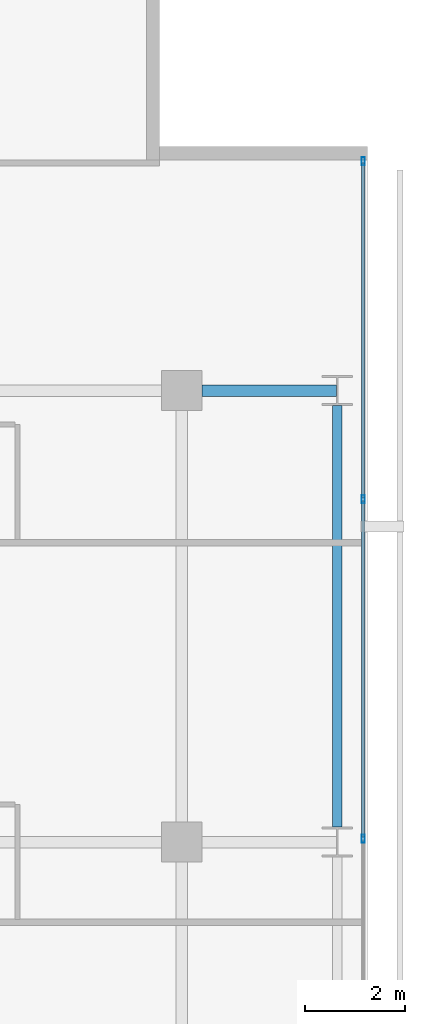
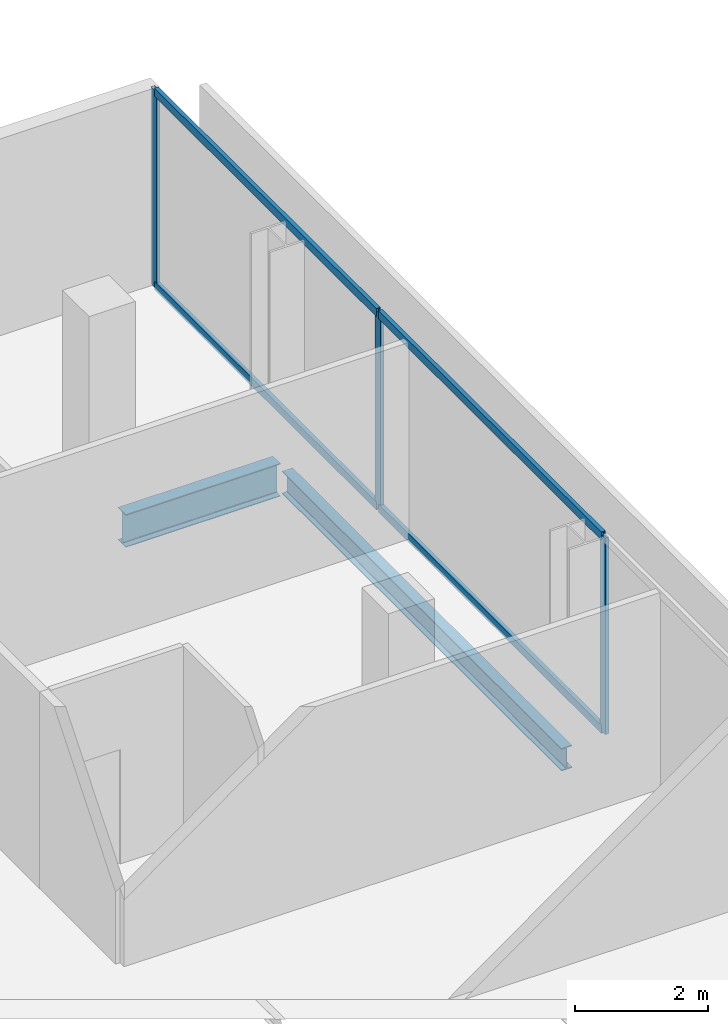
# One storey, part 24 of 34: 7 members, 2 beams, 1 element without a shape of its own.
"""IFC4 building model written with IfcOpenShell, lengths in metres."""

from ifc_helpers import new_model, si_unit, direction, frame, origin, origin_2d, place, context, subcontext, project, spatial, hollow_rectangle, i_section, extrude, material, layer, layer_set, material_profile, profile_set, type_object, element, aggregate, save


model = new_model("IFC4")

# Units and contexts
model_context = context("Model", 3, precision=1e-05, world=origin(), true_north=direction((0.0, 1.0)))
body_context = subcontext(model_context, "Body", "Model", "MODEL_VIEW")
ifc_project = project(units=[si_unit("LENGTHUNIT", "METRE"), si_unit("AREAUNIT", "SQUARE_METRE"), si_unit("VOLUMEUNIT", "CUBIC_METRE"), si_unit("PLANEANGLEUNIT", "RADIAN"), si_unit("MASSUNIT", "GRAM", prefix="KILO")], contexts=[model_context])

# Site, building, storey
site_placement = place(None, origin())
site = spatial("IfcSite", under=ifc_project, at=site_placement, CompositionType="ELEMENT")
building_placement = place(site_placement, origin())
building = spatial("IfcBuilding", under=site, at=building_placement, Name="Maruvema Waterfront Hotel and Observation Tower", CompositionType="ELEMENT")
storey_placement = place(building_placement, frame((0.0, 0.0, 185.14990234375)))
storey = spatial("IfcBuildingStorey", under=building, at=storey_placement, Name="L45", CompositionType="ELEMENT", Elevation=185.14990234375)

# Curtain wall, members
ifc_material_1 = material(Name="Anodised bronze aluminium and solar-control low-E IGU", Category="aluminium")
ifc_layer = layer(ifc_material_1, 0.159912109375, Name="Zone 2 Amber Inner Thermal Curtain Wall System CW-03")
ifc_layer_set = layer_set([ifc_layer], Name="Anodised bronze aluminium and solar-control low-E IGU")
curtain_wall_type = type_object("IfcCurtainWallType", Name="Zone 2 Amber Inner Thermal Curtain Wall System CW-03", PredefinedType="USERDEFINED", material=ifc_layer_set)
curtain_wall_placement = place(storey_placement, origin())
curtain_wall = element("IfcCurtainWall", 1, at=curtain_wall_placement, inside=storey, type_object=curtain_wall_type, Name="L45 Curtain Wall CW-L45-E", ObjectType="UNITISED CURTAIN WALL", PredefinedType="USERDEFINED")
ifc_material_2 = material(Name="Anodised architectural bronze aluminium", Category="aluminium")
ifc_material_profile_1 = material_profile(ifc_material_2, hollow_rectangle(XDim=0.070068359375, YDim=0.14990234375, WallThickness=0.00390625, at=origin_2d()), Name="ALU-T70x150")
ifc_profile_set_1 = profile_set([ifc_material_profile_1], Name="Anodised architectural bronze aluminium")
member_type_1 = type_object("IfcMemberType", Name="Curtain Wall Horizontal Transom ALU-T70x150", PredefinedType="USERDEFINED", material=ifc_profile_set_1)
member_1_placement = place(storey_placement, frame((62.419921875, 36.0966796875, 0.030029296875), z_axis=(0.0, 1.0, 0.0), x_axis=(-1.0, 0.0, 0.0)))
member_1 = element("IfcMember", 2, at=member_1_placement, type_object=member_type_1, Name="CW-03 transom 5.1", ObjectType="TRANSOM", PredefinedType="USERDEFINED", context=body_context, shape_type="SweptSolid", body=[
    extrude(hollow_rectangle(XDim=0.070068359375, YDim=0.14990234375, WallThickness=0.00390625, at=origin_2d()), origin(), (0.0, 0.0, 1.0), 6.70654296875),
])
member_2_placement = place(storey_placement, frame((62.419921875, 36.0966796875, 3.580078125), z_axis=(0.0, 1.0, 0.0), x_axis=(-1.0, 0.0, 0.0)))
member_2 = element("IfcMember", 3, at=member_2_placement, type_object=member_type_1, Name="CW-03 transom 5.2", ObjectType="TRANSOM", PredefinedType="USERDEFINED", context=body_context, shape_type="SweptSolid", body=[
    extrude(hollow_rectangle(XDim=0.070068359375, YDim=0.14990234375, WallThickness=0.00390625, at=origin_2d()), origin(), (0.0, 0.0, 1.0), 6.70654296875),
])
member_3_placement = place(storey_placement, frame((62.419921875, 42.86328125, 0.030029296875), z_axis=(0.0, 1.0, 0.0), x_axis=(-1.0, 0.0, 0.0)))
member_3 = element("IfcMember", 4, at=member_3_placement, type_object=member_type_1, Name="CW-03 transom 6.1", ObjectType="TRANSOM", PredefinedType="USERDEFINED", context=body_context, shape_type="SweptSolid", body=[
    extrude(hollow_rectangle(XDim=0.070068359375, YDim=0.14990234375, WallThickness=0.00390625, at=origin_2d()), origin(), (0.0, 0.0, 1.0), 6.6767578125),
])
member_4_placement = place(storey_placement, frame((62.419921875, 42.86328125, 3.580078125), z_axis=(0.0, 1.0, 0.0), x_axis=(-1.0, 0.0, 0.0)))
member_4 = element("IfcMember", 5, at=member_4_placement, type_object=member_type_1, Name="CW-03 transom 6.2", ObjectType="TRANSOM", PredefinedType="USERDEFINED", context=body_context, shape_type="SweptSolid", body=[
    extrude(hollow_rectangle(XDim=0.070068359375, YDim=0.14990234375, WallThickness=0.00390625, at=origin_2d()), origin(), (0.0, 0.0, 1.0), 6.6767578125),
])
ifc_material_3 = material(Name="Anodised architectural bronze aluminium", Category="aluminium")
ifc_material_profile_2 = material_profile(ifc_material_3, hollow_rectangle(XDim=0.06494140625, YDim=0.1650390625, WallThickness=0.00390625, at=origin_2d()), Name="ALU-M65x165")
ifc_profile_set_2 = profile_set([ifc_material_profile_2], Name="Anodised architectural bronze aluminium")
member_type_2 = type_object("IfcMemberType", Name="Curtain Wall Primary Mullion ALU-M65x165", PredefinedType="MULLION", material=ifc_profile_set_2)
member_5_placement = place(storey_placement, frame((62.419921875, 36.066650390625, 0.0), z_axis=(0.0, 0.0, 1.0), x_axis=(-1.0, 0.0, 0.0)))
member_5 = element("IfcMember", 6, at=member_5_placement, type_object=member_type_2, Name="CW-03 mullion 5", PredefinedType="MULLION", context=body_context, shape_type="SweptSolid", body=[
    extrude(hollow_rectangle(XDim=0.06494140625, YDim=0.1650390625, WallThickness=0.00390625, at=origin_2d()), origin(), (0.0, 0.0, 1.0), 3.610107421875),
])
member_6_placement = place(storey_placement, frame((62.419921875, 42.833251953125, 0.0), z_axis=(0.0, 0.0, 1.0), x_axis=(-1.0, 0.0, 0.0)))
member_6 = element("IfcMember", 7, at=member_6_placement, type_object=member_type_2, Name="CW-03 mullion 6", PredefinedType="MULLION", context=body_context, shape_type="SweptSolid", body=[
    extrude(hollow_rectangle(XDim=0.06494140625, YDim=0.1650390625, WallThickness=0.00390625, at=origin_2d()), origin(), (0.0, 0.0, 1.0), 3.610107421875),
])
member_7_placement = place(storey_placement, frame((62.419921875, 49.570068359375, 0.0), z_axis=(0.0, 0.0, 1.0), x_axis=(-1.0, 0.0, 0.0)))
member_7 = element("IfcMember", 8, at=member_7_placement, type_object=member_type_2, Name="CW-03 mullion 7", PredefinedType="MULLION", context=body_context, shape_type="SweptSolid", body=[
    extrude(hollow_rectangle(XDim=0.06494140625, YDim=0.1650390625, WallThickness=0.00390625, at=origin_2d()), origin(), (0.0, 0.0, 1.0), 3.610107421875),
])
aggregate(curtain_wall, [member_5, member_6, member_7, member_1, member_2, member_3, member_4])

# Beams
ifc_material_4 = material(Name="Steel ASTM A572 Grade 50", Category="steel")
ifc_material_profile_3 = material_profile(ifc_material_4, i_section(OverallWidth=0.180908203125, OverallDepth=0.4169921875, WebThickness=0.010986328125, FlangeThickness=0.018310546875, FilletRadius=0.014892578125, at=origin_2d()), Name="W410x85.0")
ifc_profile_set_3 = profile_set([ifc_material_profile_3], Name="Steel ASTM A572 Grade 50")
beam_type_1 = type_object("IfcBeamType", Name="Perimeter Spandrel Beam W410x85.0", PredefinedType="SPANDREL", material=ifc_profile_set_3)
beam_1_placement = place(storey_placement, frame((61.89990234375, 36.300048828125, -0.448486328125), z_axis=(0.0, 1.0, 0.0), x_axis=(-1.0, 0.0, 0.0)))
element("IfcBeam", 9, at=beam_1_placement, inside=storey, type_object=beam_type_1, Name="L45 Floor Girder NS-32", PredefinedType="SPANDREL", context=body_context, shape_type="SweptSolid", body=[
    extrude(i_section(OverallWidth=0.180908203125, OverallDepth=0.4169921875, WebThickness=0.010986328125, FlangeThickness=0.018310546875, FilletRadius=0.014892578125, at=origin_2d()), origin(), (0.0, 0.0, 1.0), 8.39990234375),
])
ifc_material_5 = material(Name="Steel ASTM A572 Grade 50", Category="steel")
ifc_material_profile_4 = material_profile(ifc_material_5, i_section(OverallWidth=0.22802734375, OverallDepth=0.60302734375, WebThickness=0.010498046875, FlangeThickness=0.014892578125, FilletRadius=0.01806640625, at=origin_2d()), Name="W610x101.0")
ifc_profile_set_4 = profile_set([ifc_material_profile_4], Name="Steel ASTM A572 Grade 50")
beam_type_2 = type_object("IfcBeamType", Name="Primary Floor Girder W610x101.0", PredefinedType="BEAM", material=ifc_profile_set_4)
beam_2_placement = place(storey_placement, frame((59.199951171875, 45.0, -0.54150390625), z_axis=(1.0, 0.0, 0.0), x_axis=(0.0, 1.0, 0.0)))
element("IfcBeam", 10, at=beam_2_placement, inside=storey, type_object=beam_type_2, Name="L45 Floor Girder EW-33", PredefinedType="BEAM", context=body_context, shape_type="SweptSolid", body=[
    extrude(i_section(OverallWidth=0.22802734375, OverallDepth=0.60302734375, WebThickness=0.010498046875, FlangeThickness=0.014892578125, FilletRadius=0.01806640625, at=origin_2d()), origin(), (0.0, 0.0, 1.0), 2.6875),
])

save(model, "model.ifc")
